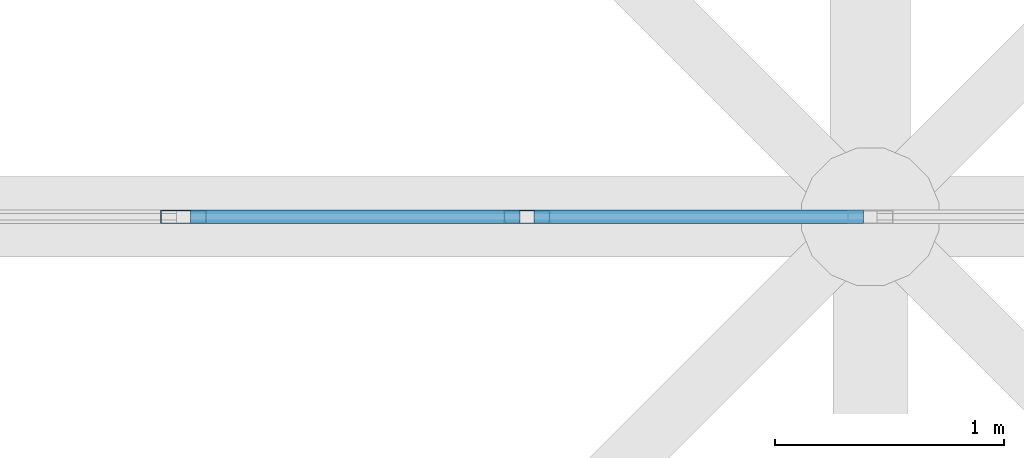
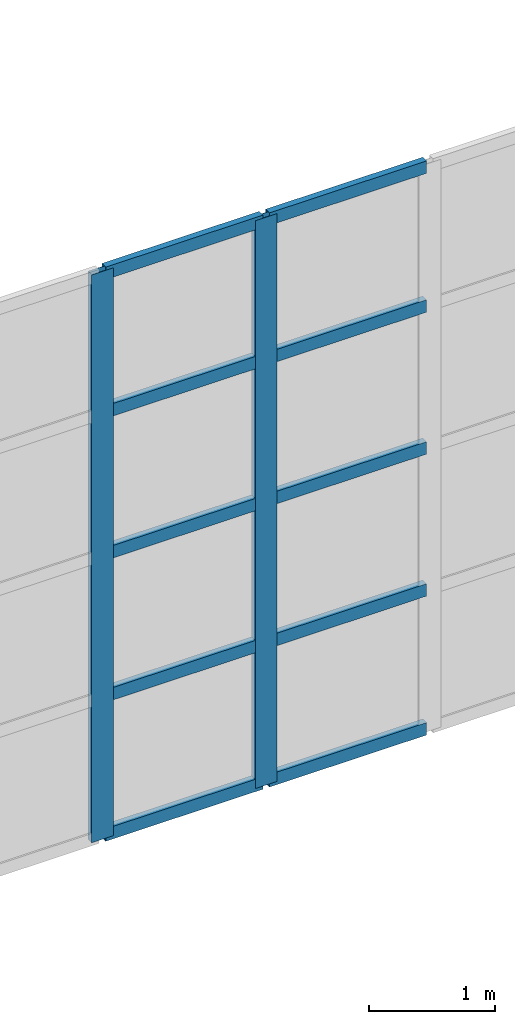
# One storey, part 184 of 437: 12 members, 1 element without a shape of its own.
"""IFC4 building model written with IfcOpenShell, lengths in metres."""

import ifcopenshell
import ifcopenshell.guid

model = None  # the IFC model being written
_history = None  # IfcOwnerHistory: only IFC2X3 demands one
_inside = {}  # id of a spatial element -> (the spatial element, [elements in it])
_under = {}  # id of a project, library or spatial element -> (it, [spatial elements below it])
_declared = {}  # id of a project -> (the project, [libraries it declares])
_typed = {}  # id of a type object -> (the type object, [elements of that type])
_made_of = {}  # id of a material, layer set ... -> (it, [elements and type objects made of it])


def new_model(schema):
    """Start an empty IFC model of exactly this schema.

    Asked for "IFC4X3", IfcOpenShell would pick the latest addendum, in which some entities
    have other attributes; the version numbers below select the first issue.
    IFC2X3 requires an IfcOwnerHistory on every rooted entity: one is made here for all.
    """
    global model, _history
    if schema == "IFC4X3":
        model = ifcopenshell.file(schema_version=(4, 3, 0, 0))
    else:
        model = ifcopenshell.file(schema=schema)
    _inside.clear()
    _under.clear()
    _declared.clear()
    _typed.clear()
    _made_of.clear()
    _history = None
    if model.schema == "IFC2X3":
        org = make("IfcOrganization", Name="unknown")
        user = make(
            "IfcPersonAndOrganization",
            ThePerson=make("IfcPerson", FamilyName="unknown"),
            TheOrganization=org,
        )
        app = make(
            "IfcApplication",
            ApplicationDeveloper=org,
            Version="unknown",
            ApplicationFullName="unknown",
            ApplicationIdentifier="unknown",
        )
        _history = make(
            "IfcOwnerHistory",
            OwningUser=user,
            OwningApplication=app,
            ChangeAction="ADDED",
            CreationDate=0,
        )
    return model


def make(cls, **values):
    """One entity of the class cls with the attributes given. An attribute that is None is left unset."""
    return model.create_entity(
        cls, **{name: value for name, value in values.items() if value is not None}
    )


def rooted(cls, **values):
    """An entity with a GlobalId (a new one), such as an element, a storey or a relation."""
    return make(cls, GlobalId=ifcopenshell.guid.new(), OwnerHistory=_history, **values)


def si_unit(unit_type, name, prefix=None):
    """IfcSIUnit, for example si_unit("LENGTHUNIT", "METRE", prefix="MILLI")."""
    return make("IfcSIUnit", UnitType=unit_type, Prefix=prefix, Name=name)


def assignment(units):
    """IfcUnitAssignment: the units of a project."""
    return None if units is None else make("IfcUnitAssignment", Units=units)


def point(xyz):
    """IfcCartesianPoint."""
    return None if xyz is None else make("IfcCartesianPoint", Coordinates=xyz)


def direction(xyz):
    """IfcDirection."""
    return None if xyz is None else make("IfcDirection", DirectionRatios=xyz)


def frame(location, z_axis=None, x_axis=None):
    """IfcAxis2Placement3D, a coordinate frame: its origin and axes. An axis left out is left unset."""
    return make(
        "IfcAxis2Placement3D",
        Location=point(location),
        Axis=direction(z_axis),
        RefDirection=direction(x_axis),
    )


def frame_2d(location, x_axis=None):
    """IfcAxis2Placement2D, a coordinate frame in the plane: its origin and x axis."""
    return make(
        "IfcAxis2Placement2D", Location=point(location), RefDirection=direction(x_axis)
    )


def origin():
    """The frame at (0, 0, 0) with its axes left unset."""
    return frame((0.0, 0.0, 0.0))


def origin_2d():
    """The frame at (0, 0) in the plane with its x axis left unset."""
    return frame_2d((0.0, 0.0))


def place(relative_to, where):
    """IfcLocalPlacement: puts the frame where relative to a parent placement (None: the world)."""
    return make(
        "IfcLocalPlacement", PlacementRelTo=relative_to, RelativePlacement=where
    )


def context(
    kind, dimensions, precision=None, world=None, true_north=None, identifier=None
):
    """IfcGeometricRepresentationContext, for example the 3D "Model" context."""
    return make(
        "IfcGeometricRepresentationContext",
        ContextIdentifier=identifier,
        ContextType=kind,
        CoordinateSpaceDimension=dimensions,
        Precision=precision,
        WorldCoordinateSystem=world,
        TrueNorth=true_north,
    )


def subcontext(parent, identifier, kind, view, scale=None):
    """IfcGeometricRepresentationSubContext, for example "Body" below "Model"."""
    return make(
        "IfcGeometricRepresentationSubContext",
        ContextIdentifier=identifier,
        ContextType=kind,
        ParentContext=parent,
        TargetScale=scale,
        TargetView=view,
    )


def project(units=None, contexts=None):
    """IfcProject with its units and contexts."""
    return rooted(
        "IfcProject",
        Name="project",
        RepresentationContexts=contexts,
        UnitsInContext=assignment(units),
    )


def spatial(cls, under=None, at=None, **own):
    """A site, building, storey or space (cls), placed at a placement, below another one or the project."""
    s = rooted(cls, ObjectPlacement=at, **own)
    if under is not None:
        _under.setdefault(under.id(), (under, []))[1].append(s)
    return s


def profile(cls, at=None, kind="AREA", **sizes):
    """A parametric profile (cls). Its sizes go by their IFC names, for example OverallWidth=200.0."""
    return make(cls, ProfileType=kind, Position=at, **sizes)


def hollow_rectangle(**sizes):
    """IfcRectangleHollowProfileDef."""
    return profile("IfcRectangleHollowProfileDef", **sizes)


def extrude(swept, where, along, depth):
    """IfcExtrudedAreaSolid: the profile swept, set in the frame where, extruded along a direction by depth."""
    return make(
        "IfcExtrudedAreaSolid",
        SweptArea=swept,
        Position=where,
        ExtrudedDirection=direction(along),
        Depth=depth,
    )


def shape(context_of_items, identifier, shape_type, items):
    """IfcShapeRepresentation: the items that make up one representation, for example the "Body"."""
    return make(
        "IfcShapeRepresentation",
        ContextOfItems=context_of_items,
        RepresentationIdentifier=identifier,
        RepresentationType=shape_type,
        Items=items,
    )


def material(Name=None, Category=None):
    """IfcMaterial."""
    return make("IfcMaterial", Name=Name, Category=Category)


def layer(
    of_material, thickness, ventilated=None, Name=None, Category=None, Priority=None
):
    """IfcMaterialLayer: one layer of a wall or slab, of a material (None: an air gap)."""
    return make(
        "IfcMaterialLayer",
        Material=of_material,
        LayerThickness=thickness,
        IsVentilated=ventilated,
        Name=Name,
        Category=Category,
        Priority=Priority,
    )


def layer_set(layers, Name=None):
    """IfcMaterialLayerSet."""
    return make("IfcMaterialLayerSet", MaterialLayers=layers, LayerSetName=Name)


def material_profile(
    of_material, cross_section, Name=None, Category=None, Priority=None
):
    """IfcMaterialProfile: a cross section and its material."""
    return make(
        "IfcMaterialProfile",
        Name=Name,
        Material=of_material,
        Profile=cross_section,
        Priority=Priority,
        Category=Category,
    )


def profile_set(profiles, Name=None, composite=None):
    """IfcMaterialProfileSet."""
    return make(
        "IfcMaterialProfileSet",
        Name=Name,
        MaterialProfiles=profiles,
        CompositeProfile=composite,
    )


def made_of(thing, what):
    """Note that an element or type object is made of a material, layer set ...; save() writes the relation."""
    if what is not None:
        _made_of.setdefault(what.id(), (what, []))[1].append(thing)
    return thing


def type_object(cls, material=None, **own):
    """A type object (cls), such as IfcWallType, which elements share."""
    return made_of(rooted(cls, **own), material)


def element(
    cls,
    number,
    at=None,
    inside=None,
    cuts=None,
    type_object=None,
    material=None,
    context=None,
    identifier="Body",
    shape_type=None,
    held_by="IfcProductDefinitionShape",
    body=None,
    shapes=None,
    **own,
):
    """One element of the class cls, such as IfcWall. Its Tag is "e" and its number.

    at: its placement. inside: the storey or other place that contains it. cuts: it is an
    opening in that element (IfcRelVoidsElement). A single representation is given by context,
    identifier, shape_type and body (its items); several are given by shapes. held_by: the class
    of the entity that holds the representations. save() writes the other relations.
    """
    e = rooted(cls, Tag="e%d" % number, ObjectPlacement=at, **own)
    if body is not None:
        shapes = [shape(context, identifier, shape_type, body)]
    if shapes is not None:
        e.Representation = make(held_by, Representations=shapes)
    if inside is not None:
        _inside.setdefault(inside.id(), (inside, []))[1].append(e)
    if cuts is not None:
        rooted(
            "IfcRelVoidsElement", RelatingBuildingElement=cuts, RelatedOpeningElement=e
        )
    if type_object is not None:
        _typed.setdefault(type_object.id(), (type_object, []))[1].append(e)
    return made_of(e, material)


def aggregate(whole, parts):
    """IfcRelAggregates: a whole, such as a stair, and the parts it consists of."""
    return rooted("IfcRelAggregates", RelatingObject=whole, RelatedObjects=parts)


def save(model, path):
    """Write the relations noted so far, then the file.

    IfcRelAggregates (storeys below a building ...), IfcRelContainedInSpatialStructure (elements
    in a storey), IfcRelDefinesByType, IfcRelAssociatesMaterial and IfcRelDeclares: one each for
    every whole, place, type object, material and project.
    """
    for whole, parts in _under.values():
        aggregate(whole, parts)
    for where, things in _inside.values():
        rooted(
            "IfcRelContainedInSpatialStructure",
            RelatedElements=things,
            RelatingStructure=where,
        )
    for kind, things in _typed.values():
        rooted("IfcRelDefinesByType", RelatedObjects=things, RelatingType=kind)
    for what, things in _made_of.values():
        rooted("IfcRelAssociatesMaterial", RelatedObjects=things, RelatingMaterial=what)
    for by, libraries in _declared.values():
        rooted("IfcRelDeclares", RelatingContext=by, RelatedDefinitions=libraries)
    model.write(path)


model = new_model("IFC4")

# Units and contexts
model_context = context("Model", 3, precision=1e-05, world=origin(), true_north=direction((0.0, 1.0)))
body_context = subcontext(model_context, "Body", "Model", "MODEL_VIEW")
ifc_project = project(units=[si_unit("LENGTHUNIT", "METRE"), si_unit("AREAUNIT", "SQUARE_METRE"), si_unit("VOLUMEUNIT", "CUBIC_METRE"), si_unit("PLANEANGLEUNIT", "RADIAN"), si_unit("MASSUNIT", "GRAM", prefix="KILO")], contexts=[model_context])

# Site, building, storey
site_placement = place(None, origin())
site = spatial("IfcSite", under=ifc_project, at=site_placement, CompositionType="ELEMENT")
building_placement = place(site_placement, origin())
building = spatial("IfcBuilding", under=site, at=building_placement, Name="Opaline Strait Convention Centre", CompositionType="ELEMENT")
storey_placement = place(building_placement, frame((0.0, 0.0, 11.5)))
storey = spatial("IfcBuildingStorey", under=building, at=storey_placement, Name="L02", CompositionType="ELEMENT", Elevation=11.5)

# Curtain wall, members
ifc_material_1 = material(Name="Aluminium framed glazing", Category="aluminium")
ifc_layer = layer(ifc_material_1, 0.199951171875)
ifc_layer_set = layer_set([ifc_layer], Name="Aluminium framed glazing")
curtain_wall_type = type_object("IfcCurtainWallType", Name="Entrance curtain wall 1500", PredefinedType="NOTDEFINED", material=ifc_layer_set)
curtain_wall_placement = place(storey_placement, origin())
curtain_wall = element("IfcCurtainWall", 1, at=curtain_wall_placement, inside=storey, type_object=curtain_wall_type, Name="Entrance curtain wall L02-R3", PredefinedType="NOTDEFINED")
ifc_material_2 = material(Name="Aluminium alloy 6063", Category="aluminium")
ifc_material_profile_1 = material_profile(ifc_material_2, hollow_rectangle(XDim=0.06005859375, YDim=0.199951171875, WallThickness=0.00390625, at=origin_2d()), Name="MULLION 60x200x4")
ifc_profile_set_1 = profile_set([ifc_material_profile_1], Name="Aluminium alloy 6063")
member_type_1 = type_object("IfcMemberType", Name="Curtain wall mullion 60 x 200", PredefinedType="MULLION", material=ifc_profile_set_1)
member_1_placement = place(storey_placement, frame((195.0, 144.0, 0.0), z_axis=(0.0, 0.0, 1.0), x_axis=(0.0, 1.0, 0.0)))
member_1 = element("IfcMember", 2, at=member_1_placement, type_object=member_type_1, Name="XCW mullion 5", PredefinedType="MULLION", context=body_context, shape_type="SweptSolid", body=[
    extrude(hollow_rectangle(XDim=0.06005859375, YDim=0.199951171875, WallThickness=0.00390625, at=origin_2d()), origin(), (0.0, 0.0, 1.0), 5.5),
])
member_2_placement = place(storey_placement, frame((196.5, 144.0, 0.0), z_axis=(0.0, 0.0, 1.0), x_axis=(0.0, 1.0, 0.0)))
member_2 = element("IfcMember", 3, at=member_2_placement, type_object=member_type_1, Name="XCW mullion 6", PredefinedType="MULLION", context=body_context, shape_type="SweptSolid", body=[
    extrude(hollow_rectangle(XDim=0.06005859375, YDim=0.199951171875, WallThickness=0.00390625, at=origin_2d()), origin(), (0.0, 0.0, 1.0), 5.5),
])
ifc_material_profile_2 = material_profile(ifc_material_2, hollow_rectangle(XDim=0.06005859375, YDim=0.1201171875, WallThickness=0.0029296875, at=origin_2d()), Name="TRANSOM 60x120x3")
ifc_profile_set_2 = profile_set([ifc_material_profile_2], Name="Aluminium alloy 6063")
member_type_2 = type_object("IfcMemberType", Name="Curtain wall transom 60 x 120", PredefinedType="USERDEFINED", material=ifc_profile_set_2)
member_3_placement = place(storey_placement, frame((195.030029296875, 144.0, 0.030029296875), z_axis=(1.0, 0.0, 0.0), x_axis=(0.0, 1.0, 0.0)))
member_3 = element("IfcMember", 4, at=member_3_placement, type_object=member_type_2, Name="XCW transom 5.1", ObjectType="TRANSOM", PredefinedType="USERDEFINED", context=body_context, shape_type="SweptSolid", body=[
    extrude(hollow_rectangle(XDim=0.06005859375, YDim=0.1201171875, WallThickness=0.0029296875, at=origin_2d()), origin(), (0.0, 0.0, 1.0), 1.43994140625),
])
member_4_placement = place(storey_placement, frame((195.030029296875, 144.0, 1.375), z_axis=(1.0, 0.0, 0.0), x_axis=(0.0, 1.0, 0.0)))
member_4 = element("IfcMember", 5, at=member_4_placement, type_object=member_type_2, Name="XCW transom 5.2", ObjectType="TRANSOM", PredefinedType="USERDEFINED", context=body_context, shape_type="SweptSolid", body=[
    extrude(hollow_rectangle(XDim=0.06005859375, YDim=0.1201171875, WallThickness=0.0029296875, at=origin_2d()), origin(), (0.0, 0.0, 1.0), 1.43994140625),
])
member_5_placement = place(storey_placement, frame((195.030029296875, 144.0, 2.75), z_axis=(1.0, 0.0, 0.0), x_axis=(0.0, 1.0, 0.0)))
member_5 = element("IfcMember", 6, at=member_5_placement, type_object=member_type_2, Name="XCW transom 5.3", ObjectType="TRANSOM", PredefinedType="USERDEFINED", context=body_context, shape_type="SweptSolid", body=[
    extrude(hollow_rectangle(XDim=0.06005859375, YDim=0.1201171875, WallThickness=0.0029296875, at=origin_2d()), origin(), (0.0, 0.0, 1.0), 1.43994140625),
])
member_6_placement = place(storey_placement, frame((195.030029296875, 144.0, 4.125), z_axis=(1.0, 0.0, 0.0), x_axis=(0.0, 1.0, 0.0)))
member_6 = element("IfcMember", 7, at=member_6_placement, type_object=member_type_2, Name="XCW transom 5.4", ObjectType="TRANSOM", PredefinedType="USERDEFINED", context=body_context, shape_type="SweptSolid", body=[
    extrude(hollow_rectangle(XDim=0.06005859375, YDim=0.1201171875, WallThickness=0.0029296875, at=origin_2d()), origin(), (0.0, 0.0, 1.0), 1.43994140625),
])
member_7_placement = place(storey_placement, frame((195.030029296875, 144.0, 5.469970703125), z_axis=(1.0, 0.0, 0.0), x_axis=(0.0, 1.0, 0.0)))
member_7 = element("IfcMember", 8, at=member_7_placement, type_object=member_type_2, Name="XCW transom 5.5", ObjectType="TRANSOM", PredefinedType="USERDEFINED", context=body_context, shape_type="SweptSolid", body=[
    extrude(hollow_rectangle(XDim=0.06005859375, YDim=0.1201171875, WallThickness=0.0029296875, at=origin_2d()), origin(), (0.0, 0.0, 1.0), 1.43994140625),
])
member_8_placement = place(storey_placement, frame((196.530029296875, 144.0, 0.030029296875), z_axis=(1.0, 0.0, 0.0), x_axis=(0.0, 1.0, 0.0)))
member_8 = element("IfcMember", 9, at=member_8_placement, type_object=member_type_2, Name="XCW transom 6.1", ObjectType="TRANSOM", PredefinedType="USERDEFINED", context=body_context, shape_type="SweptSolid", body=[
    extrude(hollow_rectangle(XDim=0.06005859375, YDim=0.1201171875, WallThickness=0.0029296875, at=origin_2d()), origin(), (0.0, 0.0, 1.0), 1.43994140625),
])
member_9_placement = place(storey_placement, frame((196.530029296875, 144.0, 1.375), z_axis=(1.0, 0.0, 0.0), x_axis=(0.0, 1.0, 0.0)))
member_9 = element("IfcMember", 10, at=member_9_placement, type_object=member_type_2, Name="XCW transom 6.2", ObjectType="TRANSOM", PredefinedType="USERDEFINED", context=body_context, shape_type="SweptSolid", body=[
    extrude(hollow_rectangle(XDim=0.06005859375, YDim=0.1201171875, WallThickness=0.0029296875, at=origin_2d()), origin(), (0.0, 0.0, 1.0), 1.43994140625),
])
member_10_placement = place(storey_placement, frame((196.530029296875, 144.0, 2.75), z_axis=(1.0, 0.0, 0.0), x_axis=(0.0, 1.0, 0.0)))
member_10 = element("IfcMember", 11, at=member_10_placement, type_object=member_type_2, Name="XCW transom 6.3", ObjectType="TRANSOM", PredefinedType="USERDEFINED", context=body_context, shape_type="SweptSolid", body=[
    extrude(hollow_rectangle(XDim=0.06005859375, YDim=0.1201171875, WallThickness=0.0029296875, at=origin_2d()), origin(), (0.0, 0.0, 1.0), 1.43994140625),
])
member_11_placement = place(storey_placement, frame((196.530029296875, 144.0, 4.125), z_axis=(1.0, 0.0, 0.0), x_axis=(0.0, 1.0, 0.0)))
member_11 = element("IfcMember", 12, at=member_11_placement, type_object=member_type_2, Name="XCW transom 6.4", ObjectType="TRANSOM", PredefinedType="USERDEFINED", context=body_context, shape_type="SweptSolid", body=[
    extrude(hollow_rectangle(XDim=0.06005859375, YDim=0.1201171875, WallThickness=0.0029296875, at=origin_2d()), origin(), (0.0, 0.0, 1.0), 1.43994140625),
])
member_12_placement = place(storey_placement, frame((196.530029296875, 144.0, 5.469970703125), z_axis=(1.0, 0.0, 0.0), x_axis=(0.0, 1.0, 0.0)))
member_12 = element("IfcMember", 13, at=member_12_placement, type_object=member_type_2, Name="XCW transom 6.5", ObjectType="TRANSOM", PredefinedType="USERDEFINED", context=body_context, shape_type="SweptSolid", body=[
    extrude(hollow_rectangle(XDim=0.06005859375, YDim=0.1201171875, WallThickness=0.0029296875, at=origin_2d()), origin(), (0.0, 0.0, 1.0), 1.43994140625),
])
aggregate(curtain_wall, [member_1, member_2, member_3, member_4, member_5, member_6, member_7, member_8, member_9, member_10, member_11, member_12])

save(model, "model.ifc")
